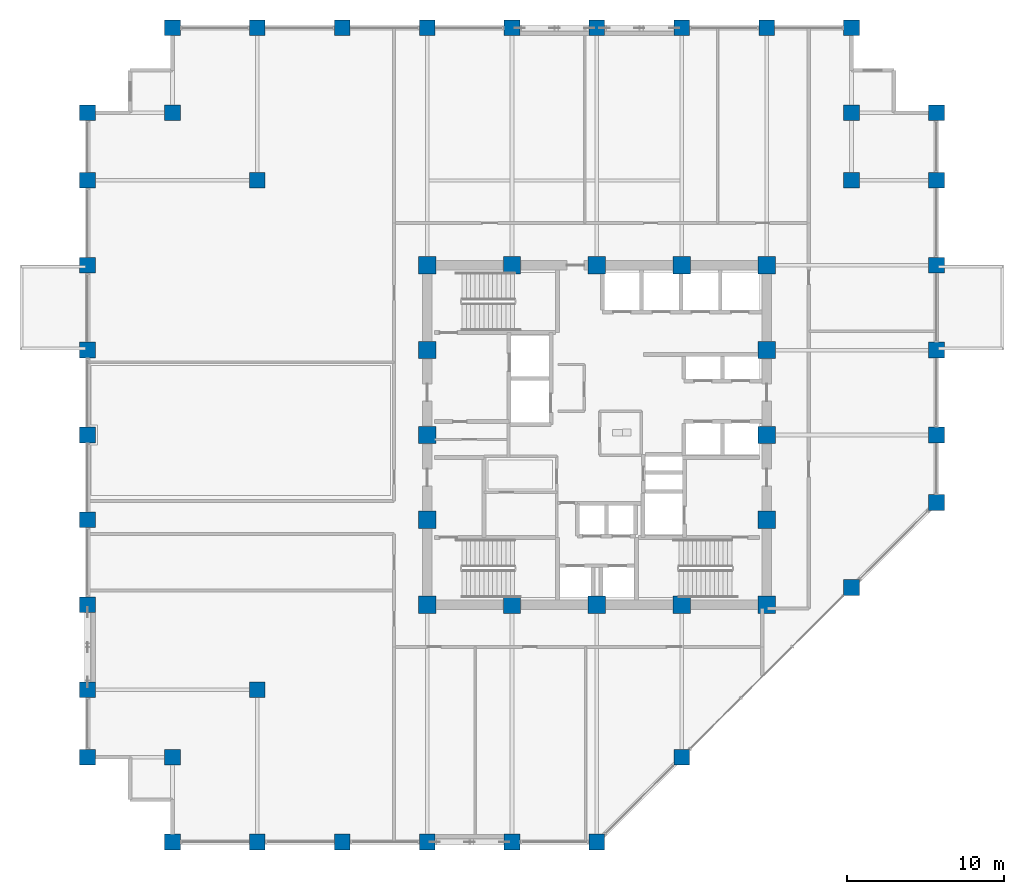
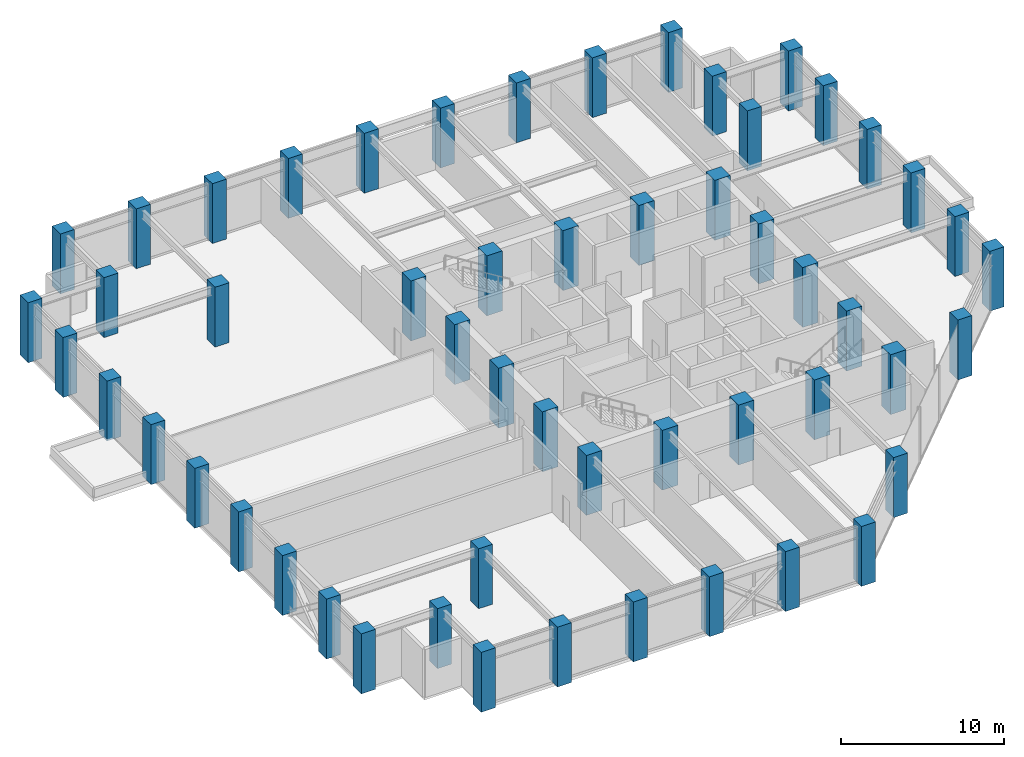
# One storey, part 1 of 25: 54 columns.
"""IFC4 building model written with IfcOpenShell, lengths in metres."""

from ifc_helpers import new_model, si_unit, direction, frame, origin, origin_2d, place, context, subcontext, project, spatial, rectangle, extrude, material, material_profile, profile_set, type_object, element, save


model = new_model("IFC4")

# Units and contexts
model_context = context("Model", 3, precision=1e-05, world=origin(), true_north=direction((0.0, 1.0)))
body_context = subcontext(model_context, "Body", "Model", "MODEL_VIEW")
ifc_project = project(units=[si_unit("LENGTHUNIT", "METRE"), si_unit("AREAUNIT", "SQUARE_METRE"), si_unit("VOLUMEUNIT", "CUBIC_METRE"), si_unit("PLANEANGLEUNIT", "RADIAN"), si_unit("MASSUNIT", "GRAM", prefix="KILO")], contexts=[model_context])

# Site, building, storey
site_placement = place(None, origin())
site = spatial("IfcSite", under=ifc_project, at=site_placement, CompositionType="ELEMENT")
building_placement = place(site_placement, origin())
building = spatial("IfcBuilding", under=site, at=building_placement, Name="Surkhivell Harbour Commons", CompositionType="ELEMENT")
storey_placement = place(building_placement, frame((0.0, 0.0, 162.0)))
storey = spatial("IfcBuildingStorey", under=building, at=storey_placement, Name="L42", CompositionType="ELEMENT", Elevation=162.0)

# Columns
ifc_material = material(Name="Concrete C60/75", Category="concrete")
ifc_material_profile_1 = material_profile(ifc_material, rectangle(XDim=1.10009765625, YDim=1.10009765625, at=origin_2d()), Name="RC-COL-1100x1100")
ifc_profile_set_1 = profile_set([ifc_material_profile_1], Name="Concrete C60/75")
column_type_1 = type_object("IfcColumnType", Name="COL-TUBE-Z2A", PredefinedType="COLUMN", material=ifc_profile_set_1)
for number, where, z_axis, x_axis, name in (
    (1, (-10.800048828125, -10.800048828125, 0.0), (0.0, 0.0, 1.0), (1.0, 0.0, 0.0), "L42 Column CT-2A (-10.8,-10.8)"),
    (2, (-10.800048828125, -5.39990234375, 0.0), (0.0, 0.0, 1.0), (1.0, 0.0, 0.0), "L42 Column CT-2A (-10.8,-5.4)"),
    (3, (-10.800048828125, 0.0, 0.0), (0.0, 0.0, 1.0), (1.0, 0.0, 0.0), "L42 Column CT-2A (-10.8,0.0)"),
    (4, (-10.800048828125, 5.39990234375, 0.0), (0.0, 0.0, 1.0), (1.0, 0.0, 0.0), "L42 Column CT-2A (-10.8,5.4)"),
    (5, (-10.800048828125, 10.800048828125, 0.0), (0.0, 0.0, 1.0), (1.0, 0.0, 0.0), "L42 Column CT-2A (-10.8,10.8)"),
    (6, (-5.39990234375, -10.800048828125, 0.0), (0.0, 0.0, 1.0), (1.0, 0.0, 0.0), "L42 Column CT-2A (-5.4,-10.8)"),
    (7, (-5.39990234375, 10.800048828125, 0.0), (0.0, 0.0, 1.0), (1.0, 0.0, 0.0), "L42 Column CT-2A (-5.4,10.8)"),
    (8, (0.0, -10.800048828125, 0.0), (0.0, 0.0, 1.0), (1.0, 0.0, 0.0), "L42 Column CT-2A (0.0,-10.8)"),
    (9, (0.0, 10.800048828125, 0.0), (0.0, 0.0, 1.0), (1.0, 0.0, 0.0), "L42 Column CT-2A (0.0,10.8)"),
    (10, (5.39990234375, -10.800048828125, 0.0), (0.0, 0.0, 1.0), (1.0, 0.0, 0.0), "L42 Column CT-2A (5.4,-10.8)"),
    (11, (5.39990234375, 10.800048828125, 0.0), (0.0, 0.0, 1.0), (1.0, 0.0, 0.0), "L42 Column CT-2A (5.4,10.8)"),
    (12, (10.800048828125, -10.800048828125, 0.0), (0.0, 0.0, 1.0), (1.0, 0.0, 0.0), "L42 Column CT-2A (10.8,-10.8)"),
    (13, (10.800048828125, -5.39990234375, 0.0), (0.0, 0.0, 1.0), (1.0, 0.0, 0.0), "L42 Column CT-2A (10.8,-5.4)"),
    (14, (10.800048828125, 0.0, 0.0), (0.0, 0.0, 1.0), (1.0, 0.0, 0.0), "L42 Column CT-2A (10.8,0.0)"),
    (15, (10.800048828125, 5.39990234375, 0.0), (0.0, 0.0, 1.0), (1.0, 0.0, 0.0), "L42 Column CT-2A (10.8,5.4)"),
    (16, (10.800048828125, 10.800048828125, 0.0), (0.0, 0.0, 1.0), (1.0, 0.0, 0.0), "L42 Column CT-2A (10.8,10.8)"),
):
    element("IfcColumn", number, at=place(storey_placement, frame(where, z_axis=z_axis, x_axis=x_axis)), inside=storey, type_object=column_type_1, Name=name, PredefinedType="COLUMN", context=body_context, shape_type="SweptSolid", body=[
        extrude(rectangle(XDim=1.10009765625, YDim=1.10009765625, at=origin_2d()), origin(), (0.0, 0.0, 1.0), 4.5),
    ])
ifc_material_profile_2 = material_profile(ifc_material, rectangle(XDim=1.0, YDim=1.0, at=origin_2d()), Name="RC-COL-1000x1000")
ifc_profile_set_2 = profile_set([ifc_material_profile_2], Name="Concrete C60/75")
column_type_2 = type_object("IfcColumnType", Name="COL-TUBE-Z2B", PredefinedType="COLUMN", material=ifc_profile_set_2)
for number, where, z_axis, x_axis, name in (
    (17, (-32.39990234375, -20.5, 0.0), (0.0, 0.0, 1.0), (1.0, 0.0, 0.0), "L42 Column CT-2B (-32.4,-20.5)"),
    (18, (-32.39990234375, -16.199951171875, 0.0), (0.0, 0.0, 1.0), (1.0, 0.0, 0.0), "L42 Column CT-2B (-32.4,-16.2)"),
    (19, (-32.39990234375, -10.800048828125, 0.0), (0.0, 0.0, 1.0), (1.0, 0.0, 0.0), "L42 Column CT-2B (-32.4,-10.8)"),
    (20, (-32.39990234375, -5.39990234375, 0.0), (0.0, 0.0, 1.0), (1.0, 0.0, 0.0), "L42 Column CT-2B (-32.4,-5.4)"),
    (21, (-32.39990234375, 0.0, 0.0), (0.0, 0.0, 1.0), (1.0, 0.0, 0.0), "L42 Column CT-2B (-32.4,0.0)"),
    (22, (-32.39990234375, 5.39990234375, 0.0), (0.0, 0.0, 1.0), (1.0, 0.0, 0.0), "L42 Column CT-2B (-32.4,5.4)"),
    (23, (-32.39990234375, 10.800048828125, 0.0), (0.0, 0.0, 1.0), (1.0, 0.0, 0.0), "L42 Column CT-2B (-32.4,10.8)"),
    (24, (-32.39990234375, 16.199951171875, 0.0), (0.0, 0.0, 1.0), (1.0, 0.0, 0.0), "L42 Column CT-2B (-32.4,16.2)"),
    (25, (-32.39990234375, 20.5, 0.0), (0.0, 0.0, 1.0), (1.0, 0.0, 0.0), "L42 Column CT-2B (-32.4,20.5)"),
    (26, (-27.0, -25.89990234375, 0.0), (0.0, 0.0, 1.0), (1.0, 0.0, 0.0), "L42 Column CT-2B (-27.0,-25.9)"),
    (27, (-27.0, -20.5, 0.0), (0.0, 0.0, 1.0), (1.0, 0.0, 0.0), "L42 Column CT-2B (-27.0,-20.5)"),
    (28, (-27.0, 20.5, 0.0), (0.0, 0.0, 1.0), (1.0, 0.0, 0.0), "L42 Column CT-2B (-27.0,20.5)"),
    (29, (-27.0, 25.89990234375, 0.0), (0.0, 0.0, 1.0), (1.0, 0.0, 0.0), "L42 Column CT-2B (-27.0,25.9)"),
    (30, (-21.60009765625, -25.89990234375, 0.0), (0.0, 0.0, 1.0), (1.0, 0.0, 0.0), "L42 Column CT-2B (-21.6,-25.9)"),
    (31, (-21.60009765625, -16.199951171875, 0.0), (0.0, 0.0, 1.0), (1.0, 0.0, 0.0), "L42 Column CT-2B (-21.6,-16.2)"),
    (32, (-21.60009765625, 16.199951171875, 0.0), (0.0, 0.0, 1.0), (1.0, 0.0, 0.0), "L42 Column CT-2B (-21.6,16.2)"),
    (33, (-21.60009765625, 25.89990234375, 0.0), (0.0, 0.0, 1.0), (1.0, 0.0, 0.0), "L42 Column CT-2B (-21.6,25.9)"),
    (34, (-16.199951171875, -25.89990234375, 0.0), (0.0, 0.0, 1.0), (1.0, 0.0, 0.0), "L42 Column CT-2B (-16.2,-25.9)"),
    (35, (-16.199951171875, 25.89990234375, 0.0), (0.0, 0.0, 1.0), (1.0, 0.0, 0.0), "L42 Column CT-2B (-16.2,25.9)"),
    (36, (-10.800048828125, -25.89990234375, 0.0), (0.0, 0.0, 1.0), (1.0, 0.0, 0.0), "L42 Column CT-2B (-10.8,-25.9)"),
    (37, (-10.800048828125, 25.89990234375, 0.0), (0.0, 0.0, 1.0), (1.0, 0.0, 0.0), "L42 Column CT-2B (-10.8,25.9)"),
    (38, (-5.39990234375, -25.89990234375, 0.0), (0.0, 0.0, 1.0), (1.0, 0.0, 0.0), "L42 Column CT-2B (-5.4,-25.9)"),
    (39, (-5.39990234375, 25.89990234375, 0.0), (0.0, 0.0, 1.0), (1.0, 0.0, 0.0), "L42 Column CT-2B (-5.4,25.9)"),
    (40, (0.0, -25.89990234375, 0.0), (0.0, 0.0, 1.0), (1.0, 0.0, 0.0), "L42 Column CT-2B (-0.0,-25.9)"),
    (41, (0.0, 25.89990234375, 0.0), (0.0, 0.0, 1.0), (1.0, 0.0, 0.0), "L42 Column CT-2B (-0.0,25.9)"),
    (42, (5.39990234375, -20.5, 0.0), (0.0, 0.0, 1.0), (1.0, 0.0, 0.0), "L42 Column CT-2B (5.4,-20.5)"),
    (43, (5.39990234375, 25.89990234375, 0.0), (0.0, 0.0, 1.0), (1.0, 0.0, 0.0), "L42 Column CT-2B (5.4,25.9)"),
    (44, (10.800048828125, 25.89990234375, 0.0), (0.0, 0.0, 1.0), (1.0, 0.0, 0.0), "L42 Column CT-2B (10.8,25.9)"),
    (45, (16.199951171875, -9.699951171875, 0.0), (0.0, 0.0, 1.0), (1.0, 0.0, 0.0), "L42 Column CT-2B (16.2,-9.7)"),
    (46, (16.199951171875, 16.199951171875, 0.0), (0.0, 0.0, 1.0), (1.0, 0.0, 0.0), "L42 Column CT-2B (16.2,16.2)"),
    (47, (16.199951171875, 20.5, 0.0), (0.0, 0.0, 1.0), (1.0, 0.0, 0.0), "L42 Column CT-2B (16.2,20.5)"),
    (48, (16.199951171875, 25.89990234375, 0.0), (0.0, 0.0, 1.0), (1.0, 0.0, 0.0), "L42 Column CT-2B (16.2,25.9)"),
    (49, (21.60009765625, -4.300048828125, 0.0), (0.0, 0.0, 1.0), (1.0, 0.0, 0.0), "L42 Column CT-2B (21.6,-4.3)"),
    (50, (21.60009765625, 0.0, 0.0), (0.0, 0.0, 1.0), (1.0, 0.0, 0.0), "L42 Column CT-2B (21.6,0.0)"),
    (51, (21.60009765625, 5.39990234375, 0.0), (0.0, 0.0, 1.0), (1.0, 0.0, 0.0), "L42 Column CT-2B (21.6,5.4)"),
    (52, (21.60009765625, 10.800048828125, 0.0), (0.0, 0.0, 1.0), (1.0, 0.0, 0.0), "L42 Column CT-2B (21.6,10.8)"),
    (53, (21.60009765625, 16.199951171875, 0.0), (0.0, 0.0, 1.0), (1.0, 0.0, 0.0), "L42 Column CT-2B (21.6,16.2)"),
    (54, (21.60009765625, 20.5, 0.0), (0.0, 0.0, 1.0), (1.0, 0.0, 0.0), "L42 Column CT-2B (21.6,20.5)"),
):
    element("IfcColumn", number, at=place(storey_placement, frame(where, z_axis=z_axis, x_axis=x_axis)), inside=storey, type_object=column_type_2, Name=name, PredefinedType="COLUMN", context=body_context, shape_type="SweptSolid", body=[
        extrude(rectangle(XDim=1.0, YDim=1.0, at=origin_2d()), origin(), (0.0, 0.0, 1.0), 4.5),
    ])

save(model, "model.ifc")
